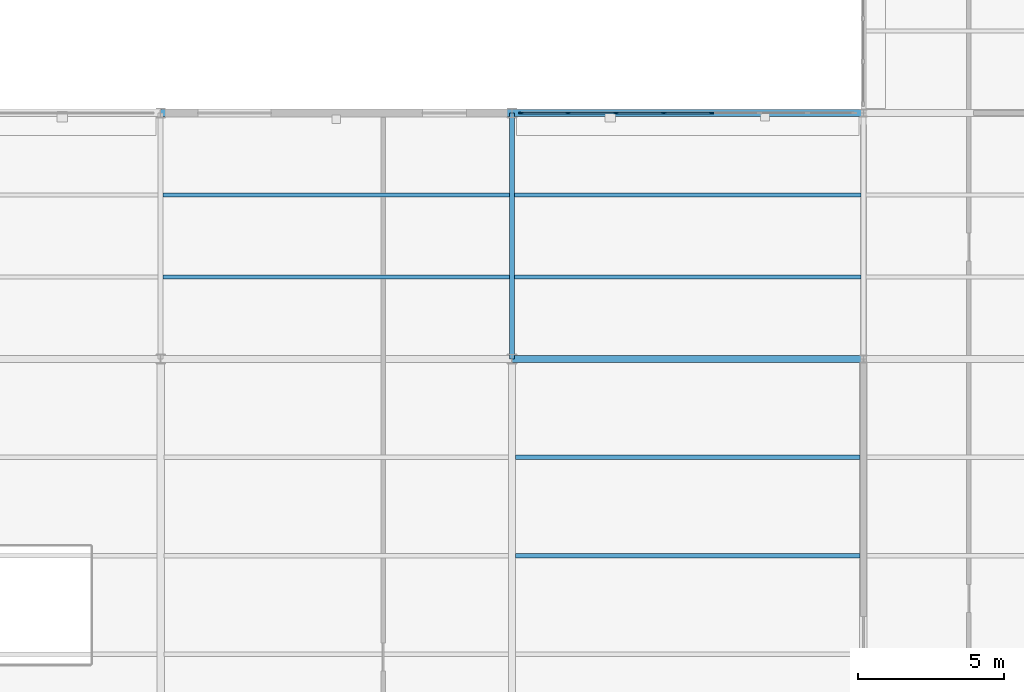
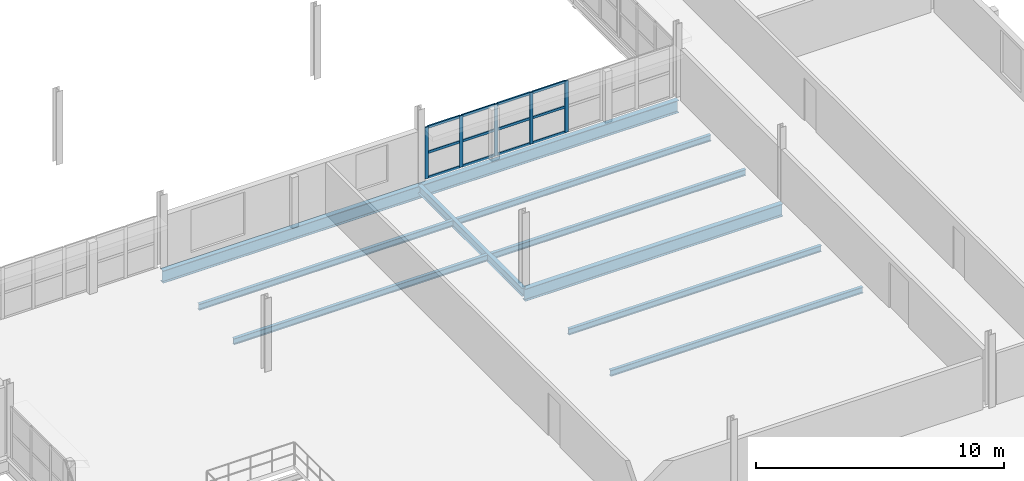
# One storey, part 42 of 79: 17 members, 10 beams, 1 element without a shape of its own.
"""IFC4 building model written with IfcOpenShell, lengths in metres."""

from ifc_helpers import new_model, si_unit, direction, frame, origin, origin_2d, place, context, subcontext, project, spatial, rectangle, i_section, extrude, material, layer, layer_set, material_profile, profile_set, type_object, element, aggregate, save


model = new_model("IFC4")

# Units and contexts
model_context = context("Model", 3, precision=1e-05, world=origin(), true_north=direction((0.0, 1.0)))
body_context = subcontext(model_context, "Body", "Model", "MODEL_VIEW")
ifc_project = project(units=[si_unit("LENGTHUNIT", "METRE"), si_unit("AREAUNIT", "SQUARE_METRE"), si_unit("VOLUMEUNIT", "CUBIC_METRE"), si_unit("PLANEANGLEUNIT", "RADIAN"), si_unit("MASSUNIT", "GRAM", prefix="KILO"), si_unit("THERMODYNAMICTEMPERATUREUNIT", "KELVIN"), si_unit("POWERUNIT", "WATT")], contexts=[model_context])

# Site, building, storey
site_placement = place(None, origin())
site = spatial("IfcSite", under=ifc_project, at=site_placement, CompositionType="ELEMENT")
building_placement = place(site_placement, origin())
building = spatial("IfcBuilding", under=site, at=building_placement, Name="Tembeka Court Mobility Hub", CompositionType="ELEMENT")
storey_placement = place(building_placement, frame((0.0, 0.0, 9.0)))
storey = spatial("IfcBuildingStorey", under=building, at=storey_placement, Name="L02", CompositionType="ELEMENT", Elevation=9.0)

# Beams
ifc_material_1 = material(Name="Steel S355", Category="steel")
ifc_material_profile_1 = material_profile(ifc_material_1, i_section(OverallWidth=0.177978515625, OverallDepth=0.406005859375, WebThickness=0.0078125, FlangeThickness=0.0126953125, FilletRadius=0.01025390625, at=origin_2d()), Name="UKB 406x178x60")
ifc_profile_set_1 = profile_set([ifc_material_profile_1], Name="Steel S355")
beam_type_1 = type_object("IfcBeamType", Name="BM-B02", PredefinedType="BEAM", material=ifc_profile_set_1)
beam_placement = place(storey_placement, frame((152.39990234375, 38.39990234375, -0.39306640625), z_axis=(0.0, 1.0, 0.0), x_axis=(-1.0, 0.0, 0.0)))
element("IfcBeam", 1, at=beam_placement, inside=storey, type_object=beam_type_1, Name="Beam B02 (BM-L02-Y1426)", PredefinedType="BEAM", context=body_context, shape_type="SweptSolid", body=[
    extrude(i_section(OverallWidth=0.177978515625, OverallDepth=0.406005859375, WebThickness=0.0078125, FlangeThickness=0.0126953125, FilletRadius=0.01025390625, at=origin_2d()), origin(), (0.0, 0.0, 1.0), 8.400146484375),
])
ifc_material_profile_2 = material_profile(ifc_material_1, i_section(OverallWidth=0.22900390625, OverallDepth=0.612060546875, WebThickness=0.011962890625, FlangeThickness=0.01953125, FilletRadius=0.0126953125, at=origin_2d()), Name="UKB 610x229x125")
ifc_profile_set_2 = profile_set([ifc_material_profile_2], Name="Steel S355")
beam_type_2 = type_object("IfcBeamType", Name="BM-G02", PredefinedType="USERDEFINED", material=ifc_profile_set_2)
for number, where, z_axis, x_axis, name in (
    (2, (152.39990234375, 38.39990234375, -0.49609375), (1.0, 0.0, 0.0), (0.0, 1.0, 0.0), "Beam G02 (BM-L02-X1223)"),
    (3, (140.39990234375, 46.800048828125, -0.49609375), (1.0, 0.0, 0.0), (0.0, 1.0, 0.0), "Beam G02 (BM-L02-X1236)"),
    (4, (152.39990234375, 46.800048828125, -0.49609375), (1.0, 0.0, 0.0), (0.0, 1.0, 0.0), "Beam G02 (BM-L02-X1237)"),
):
    element("IfcBeam", number, at=place(storey_placement, frame(where, z_axis=z_axis, x_axis=x_axis)), inside=storey, type_object=beam_type_2, Name=name, ObjectType="GIRDER", PredefinedType="USERDEFINED", context=body_context, shape_type="SweptSolid", body=[
        extrude(i_section(OverallWidth=0.22900390625, OverallDepth=0.612060546875, WebThickness=0.011962890625, FlangeThickness=0.01953125, FilletRadius=0.0126953125, at=origin_2d()), origin(), (0.0, 0.0, 1.0), 12.0),
    ])
ifc_material_profile_3 = material_profile(ifc_material_1, i_section(OverallWidth=0.14990234375, OverallDepth=0.300048828125, WebThickness=0.007080078125, FlangeThickness=0.0107421875, FilletRadius=0.014892578125, at=origin_2d()), Name="IPE 300")
ifc_profile_set_3 = profile_set([ifc_material_profile_3], Name="Steel S355")
beam_type_3 = type_object("IfcBeamType", Name="BM-J04", PredefinedType="JOIST", material=ifc_profile_set_3)
for number, where, z_axis, x_axis, name in (
    (5, (140.48388671875, 41.199951171875, -0.340087890625), (1.0, 0.0, 0.0), (0.0, 1.0, 0.0), "Beam J04 (JST-L02-1657)"),
    (6, (140.48388671875, 44.0, -0.340087890625), (1.0, 0.0, 0.0), (0.0, 1.0, 0.0), "Beam J04 (JST-L02-1658)"),
):
    element("IfcBeam", number, at=place(storey_placement, frame(where, z_axis=z_axis, x_axis=x_axis)), inside=storey, type_object=beam_type_3, Name=name, PredefinedType="JOIST", context=body_context, shape_type="SweptSolid", body=[
        extrude(i_section(OverallWidth=0.14990234375, OverallDepth=0.300048828125, WebThickness=0.007080078125, FlangeThickness=0.0107421875, FilletRadius=0.014892578125, at=origin_2d()), origin(), (0.0, 0.0, 1.0), 11.83203125),
    ])
for number, where, z_axis, x_axis, name in (
    (7, (152.52197265625, 31.679931640625, -0.340087890625), (1.0, 0.0, 0.0), (0.0, 1.0, 0.0), "Beam J04 (JST-L02-1664)"),
    (8, (152.52197265625, 35.0400390625, -0.340087890625), (1.0, 0.0, 0.0), (0.0, 1.0, 0.0), "Beam J04 (JST-L02-1665)"),
):
    element("IfcBeam", number, at=place(storey_placement, frame(where, z_axis=z_axis, x_axis=x_axis)), inside=storey, type_object=beam_type_3, Name=name, PredefinedType="JOIST", context=body_context, shape_type="SweptSolid", body=[
        extrude(i_section(OverallWidth=0.14990234375, OverallDepth=0.300048828125, WebThickness=0.007080078125, FlangeThickness=0.0107421875, FilletRadius=0.014892578125, at=origin_2d()), origin(), (0.0, 0.0, 1.0), 11.756103515625),
    ])
for number, where, z_axis, x_axis, name in (
    (9, (152.48388671875, 41.199951171875, -0.340087890625), (1.0, 0.0, 0.0), (0.0, 1.0, 0.0), "Beam J04 (JST-L02-1666)"),
    (10, (152.48388671875, 44.0, -0.340087890625), (1.0, 0.0, 0.0), (0.0, 1.0, 0.0), "Beam J04 (JST-L02-1667)"),
):
    element("IfcBeam", number, at=place(storey_placement, frame(where, z_axis=z_axis, x_axis=x_axis)), inside=storey, type_object=beam_type_3, Name=name, PredefinedType="JOIST", context=body_context, shape_type="SweptSolid", body=[
        extrude(i_section(OverallWidth=0.14990234375, OverallDepth=0.300048828125, WebThickness=0.007080078125, FlangeThickness=0.0107421875, FilletRadius=0.014892578125, at=origin_2d()), origin(), (0.0, 0.0, 1.0), 11.83203125),
    ])

# Curtain wall, members
ifc_material_2 = material(Name="Anodised aluminium 6063-T6", Category="aluminium")
ifc_layer = layer(ifc_material_2, 0.159912109375)
ifc_layer_set = layer_set([ifc_layer], Name="Anodised aluminium 6063-T6")
curtain_wall_type = type_object("IfcCurtainWallType", Name="CW-SYS41", PredefinedType="USERDEFINED", material=ifc_layer_set)
curtain_wall_placement = place(storey_placement, origin())
curtain_wall = element("IfcCurtainWall", 11, at=curtain_wall_placement, inside=storey, type_object=curtain_wall_type, Name="Unitised curtain wall CW41 (CW-L02-129)", ObjectType="UNITISED GLAZING", PredefinedType="USERDEFINED")
ifc_material_profile_4 = material_profile(ifc_material_2, rectangle(XDim=0.06494140625, YDim=0.159912109375, at=origin_2d()), Name="ALU-MUL 65x160")
ifc_profile_set_4 = profile_set([ifc_material_profile_4], Name="Anodised aluminium 6063-T6")
member_type_1 = type_object("IfcMemberType", Name="CW-MUL01", PredefinedType="MULLION", material=ifc_profile_set_4)
member_1_placement = place(storey_placement, frame((152.71240234375, 46.800048828125, 0.0), z_axis=(0.0, 0.0, 1.0), x_axis=(0.0, 1.0, 0.0)))
member_1 = element("IfcMember", 12, at=member_1_placement, type_object=member_type_1, Name="CW41 mullion 1", PredefinedType="MULLION", context=body_context, shape_type="SweptSolid", body=[
    extrude(rectangle(XDim=0.06494140625, YDim=0.159912109375, at=origin_2d()), origin(), (0.0, 0.0, 1.0), 2.534912109375),
])
member_2_placement = place(storey_placement, frame((154.314208984375, 46.800048828125, 0.0), z_axis=(0.0, 0.0, 1.0), x_axis=(0.0, 1.0, 0.0)))
member_2 = element("IfcMember", 13, at=member_2_placement, type_object=member_type_1, Name="CW41 mullion 2", PredefinedType="MULLION", context=body_context, shape_type="SweptSolid", body=[
    extrude(rectangle(XDim=0.06494140625, YDim=0.159912109375, at=origin_2d()), origin(), (0.0, 0.0, 1.0), 2.534912109375),
])
member_3_placement = place(storey_placement, frame((155.948486328125, 46.800048828125, 0.0), z_axis=(0.0, 0.0, 1.0), x_axis=(0.0, 1.0, 0.0)))
member_3 = element("IfcMember", 14, at=member_3_placement, type_object=member_type_1, Name="CW41 mullion 3", PredefinedType="MULLION", context=body_context, shape_type="SweptSolid", body=[
    extrude(rectangle(XDim=0.06494140625, YDim=0.159912109375, at=origin_2d()), origin(), (0.0, 0.0, 1.0), 2.534912109375),
])
member_4_placement = place(storey_placement, frame((157.582763671875, 46.800048828125, 0.0), z_axis=(0.0, 0.0, 1.0), x_axis=(0.0, 1.0, 0.0)))
member_4 = element("IfcMember", 15, at=member_4_placement, type_object=member_type_1, Name="CW41 mullion 4", PredefinedType="MULLION", context=body_context, shape_type="SweptSolid", body=[
    extrude(rectangle(XDim=0.06494140625, YDim=0.159912109375, at=origin_2d()), origin(), (0.0, 0.0, 1.0), 2.534912109375),
])
member_5_placement = place(storey_placement, frame((159.217041015625, 46.800048828125, 0.0), z_axis=(0.0, 0.0, 1.0), x_axis=(0.0, 1.0, 0.0)))
member_5 = element("IfcMember", 16, at=member_5_placement, type_object=member_type_1, Name="CW41 mullion 5", PredefinedType="MULLION", context=body_context, shape_type="SweptSolid", body=[
    extrude(rectangle(XDim=0.06494140625, YDim=0.159912109375, at=origin_2d()), origin(), (0.0, 0.0, 1.0), 2.534912109375),
])
ifc_material_profile_5 = material_profile(ifc_material_2, rectangle(XDim=0.06494140625, YDim=0.1201171875, at=origin_2d()), Name="ALU-TRN 65x120")
ifc_profile_set_5 = profile_set([ifc_material_profile_5], Name="Anodised aluminium 6063-T6")
member_type_2 = type_object("IfcMemberType", Name="CW-TRN01", PredefinedType="USERDEFINED", material=ifc_profile_set_5)
member_6_placement = place(storey_placement, frame((152.7451171875, 46.800048828125, 0.032470703125), z_axis=(1.0, 0.0, 0.0), x_axis=(0.0, 1.0, 0.0)))
member_6 = element("IfcMember", 17, at=member_6_placement, type_object=member_type_2, Name="CW41 transom 1.1", ObjectType="TRANSOM", PredefinedType="USERDEFINED", context=body_context, shape_type="SweptSolid", body=[
    extrude(rectangle(XDim=0.06494140625, YDim=0.1201171875, at=origin_2d()), origin(), (0.0, 0.0, 1.0), 1.53662109375),
])
member_7_placement = place(storey_placement, frame((152.7451171875, 46.800048828125, 1.267578125), z_axis=(1.0, 0.0, 0.0), x_axis=(0.0, 1.0, 0.0)))
member_7 = element("IfcMember", 18, at=member_7_placement, type_object=member_type_2, Name="CW41 transom 1.2", ObjectType="TRANSOM", PredefinedType="USERDEFINED", context=body_context, shape_type="SweptSolid", body=[
    extrude(rectangle(XDim=0.06494140625, YDim=0.1201171875, at=origin_2d()), origin(), (0.0, 0.0, 1.0), 1.53662109375),
])
member_8_placement = place(storey_placement, frame((152.7451171875, 46.800048828125, 2.50244140625), z_axis=(1.0, 0.0, 0.0), x_axis=(0.0, 1.0, 0.0)))
member_8 = element("IfcMember", 19, at=member_8_placement, type_object=member_type_2, Name="CW41 transom 1.3", ObjectType="TRANSOM", PredefinedType="USERDEFINED", context=body_context, shape_type="SweptSolid", body=[
    extrude(rectangle(XDim=0.06494140625, YDim=0.1201171875, at=origin_2d()), origin(), (0.0, 0.0, 1.0), 1.53662109375),
])
member_9_placement = place(storey_placement, frame((154.3466796875, 46.800048828125, 0.032470703125), z_axis=(1.0, 0.0, 0.0), x_axis=(0.0, 1.0, 0.0)))
member_9 = element("IfcMember", 20, at=member_9_placement, type_object=member_type_2, Name="CW41 transom 2.1", ObjectType="TRANSOM", PredefinedType="USERDEFINED", context=body_context, shape_type="SweptSolid", body=[
    extrude(rectangle(XDim=0.06494140625, YDim=0.1201171875, at=origin_2d()), origin(), (0.0, 0.0, 1.0), 1.5693359375),
])
member_10_placement = place(storey_placement, frame((154.3466796875, 46.800048828125, 1.267578125), z_axis=(1.0, 0.0, 0.0), x_axis=(0.0, 1.0, 0.0)))
member_10 = element("IfcMember", 21, at=member_10_placement, type_object=member_type_2, Name="CW41 transom 2.2", ObjectType="TRANSOM", PredefinedType="USERDEFINED", context=body_context, shape_type="SweptSolid", body=[
    extrude(rectangle(XDim=0.06494140625, YDim=0.1201171875, at=origin_2d()), origin(), (0.0, 0.0, 1.0), 1.5693359375),
])
member_11_placement = place(storey_placement, frame((154.3466796875, 46.800048828125, 2.50244140625), z_axis=(1.0, 0.0, 0.0), x_axis=(0.0, 1.0, 0.0)))
member_11 = element("IfcMember", 22, at=member_11_placement, type_object=member_type_2, Name="CW41 transom 2.3", ObjectType="TRANSOM", PredefinedType="USERDEFINED", context=body_context, shape_type="SweptSolid", body=[
    extrude(rectangle(XDim=0.06494140625, YDim=0.1201171875, at=origin_2d()), origin(), (0.0, 0.0, 1.0), 1.5693359375),
])
member_12_placement = place(storey_placement, frame((155.98095703125, 46.800048828125, 0.032470703125), z_axis=(1.0, 0.0, 0.0), x_axis=(0.0, 1.0, 0.0)))
member_12 = element("IfcMember", 23, at=member_12_placement, type_object=member_type_2, Name="CW41 transom 3.1", ObjectType="TRANSOM", PredefinedType="USERDEFINED", context=body_context, shape_type="SweptSolid", body=[
    extrude(rectangle(XDim=0.06494140625, YDim=0.1201171875, at=origin_2d()), origin(), (0.0, 0.0, 1.0), 1.5693359375),
])
member_13_placement = place(storey_placement, frame((155.98095703125, 46.800048828125, 1.267578125), z_axis=(1.0, 0.0, 0.0), x_axis=(0.0, 1.0, 0.0)))
member_13 = element("IfcMember", 24, at=member_13_placement, type_object=member_type_2, Name="CW41 transom 3.2", ObjectType="TRANSOM", PredefinedType="USERDEFINED", context=body_context, shape_type="SweptSolid", body=[
    extrude(rectangle(XDim=0.06494140625, YDim=0.1201171875, at=origin_2d()), origin(), (0.0, 0.0, 1.0), 1.5693359375),
])
member_14_placement = place(storey_placement, frame((155.98095703125, 46.800048828125, 2.50244140625), z_axis=(1.0, 0.0, 0.0), x_axis=(0.0, 1.0, 0.0)))
member_14 = element("IfcMember", 25, at=member_14_placement, type_object=member_type_2, Name="CW41 transom 3.3", ObjectType="TRANSOM", PredefinedType="USERDEFINED", context=body_context, shape_type="SweptSolid", body=[
    extrude(rectangle(XDim=0.06494140625, YDim=0.1201171875, at=origin_2d()), origin(), (0.0, 0.0, 1.0), 1.5693359375),
])
member_15_placement = place(storey_placement, frame((157.615478515625, 46.800048828125, 0.032470703125), z_axis=(1.0, 0.0, 0.0), x_axis=(0.0, 1.0, 0.0)))
member_15 = element("IfcMember", 26, at=member_15_placement, type_object=member_type_2, Name="CW41 transom 4.1", ObjectType="TRANSOM", PredefinedType="USERDEFINED", context=body_context, shape_type="SweptSolid", body=[
    extrude(rectangle(XDim=0.06494140625, YDim=0.1201171875, at=origin_2d()), origin(), (0.0, 0.0, 1.0), 1.569091796875),
])
member_16_placement = place(storey_placement, frame((157.615478515625, 46.800048828125, 1.267578125), z_axis=(1.0, 0.0, 0.0), x_axis=(0.0, 1.0, 0.0)))
member_16 = element("IfcMember", 27, at=member_16_placement, type_object=member_type_2, Name="CW41 transom 4.2", ObjectType="TRANSOM", PredefinedType="USERDEFINED", context=body_context, shape_type="SweptSolid", body=[
    extrude(rectangle(XDim=0.06494140625, YDim=0.1201171875, at=origin_2d()), origin(), (0.0, 0.0, 1.0), 1.569091796875),
])
member_17_placement = place(storey_placement, frame((157.615478515625, 46.800048828125, 2.50244140625), z_axis=(1.0, 0.0, 0.0), x_axis=(0.0, 1.0, 0.0)))
member_17 = element("IfcMember", 28, at=member_17_placement, type_object=member_type_2, Name="CW41 transom 4.3", ObjectType="TRANSOM", PredefinedType="USERDEFINED", context=body_context, shape_type="SweptSolid", body=[
    extrude(rectangle(XDim=0.06494140625, YDim=0.1201171875, at=origin_2d()), origin(), (0.0, 0.0, 1.0), 1.569091796875),
])
aggregate(curtain_wall, [member_1, member_2, member_3, member_4, member_5, member_6, member_7, member_8, member_9, member_10, member_11, member_12, member_13, member_14, member_15, member_16, member_17])

save(model, "model.ifc")
